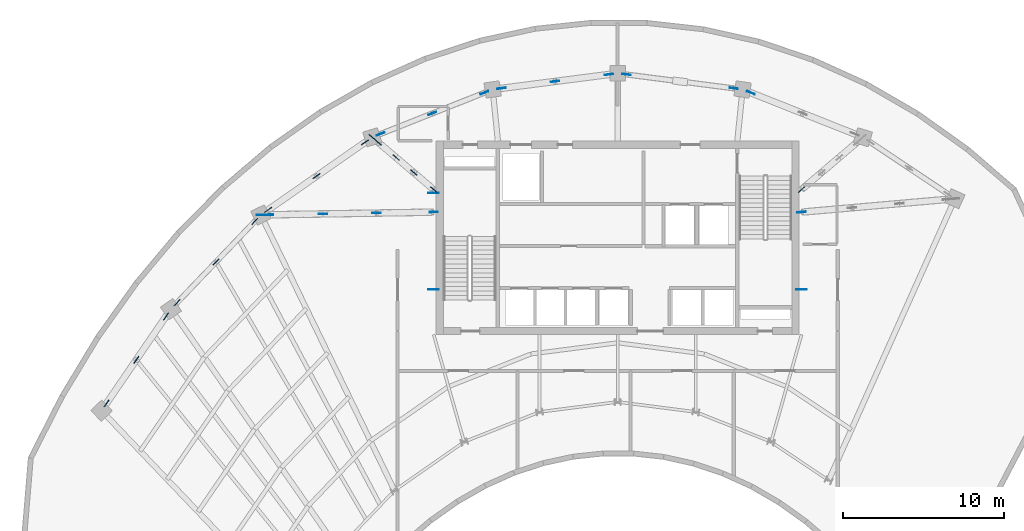
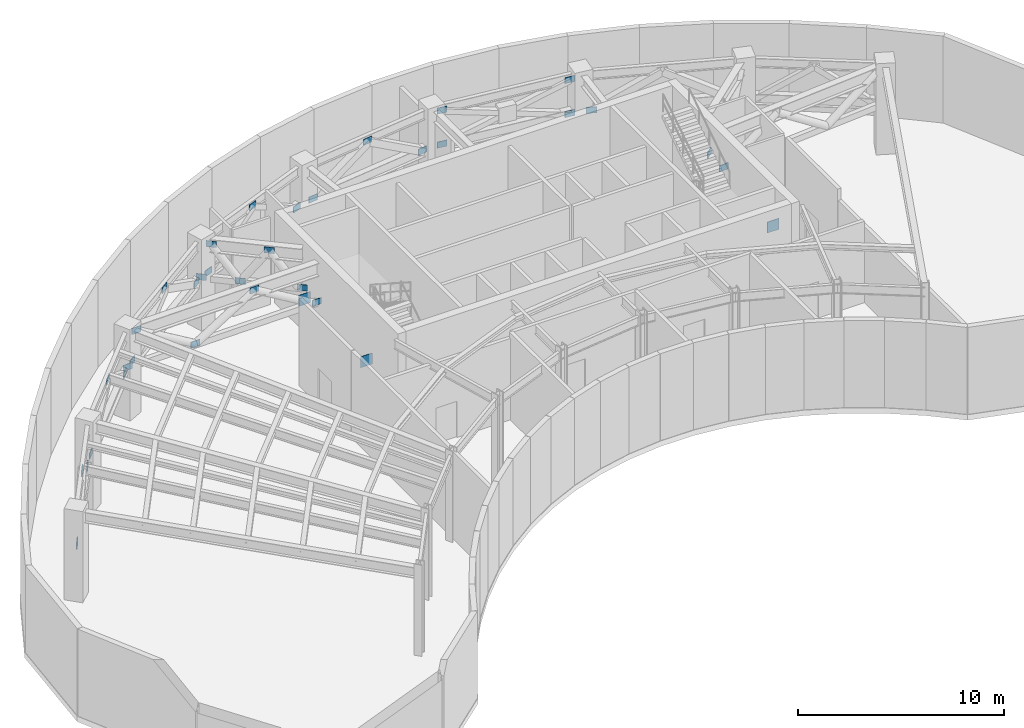
# One storey, part 4 of 10: 35 plates.
"""IFC4 building model written with IfcOpenShell, lengths in metres."""

from ifc_helpers import new_model, si_unit, direction, frame, origin, origin_2d, place, context, subcontext, project, spatial, rectangle, extrude, source, transform, mapped, material, layer, layer_set, type_object, type_shapes, element, save


model = new_model("IFC4")

# Units and contexts
model_context = context("Model", 3, precision=1e-05, world=origin(), true_north=direction((0.0, 1.0)))
body_context = subcontext(model_context, "Body", "Model", "MODEL_VIEW")
ifc_project = project(units=[si_unit("LENGTHUNIT", "METRE"), si_unit("AREAUNIT", "SQUARE_METRE"), si_unit("VOLUMEUNIT", "CUBIC_METRE"), si_unit("PLANEANGLEUNIT", "RADIAN"), si_unit("MASSUNIT", "GRAM", prefix="KILO")], contexts=[model_context])

# Site, building, storey
site_placement = place(None, origin())
site = spatial("IfcSite", under=ifc_project, at=site_placement, CompositionType="ELEMENT")
building_placement = place(site_placement, origin())
building = spatial("IfcBuilding", under=site, at=building_placement, Name="Breltana Convention Tower", CompositionType="ELEMENT")
storey_placement = place(building_placement, frame((0.0, 0.0, 254.699951171875)))
storey = spatial("IfcBuildingStorey", under=building, at=storey_placement, Name="L62", CompositionType="ELEMENT", Elevation=254.699951171875)

# Plates
ifc_material = material(Name="Steel S355", Category="steel")
ifc_layer_1 = layer(ifc_material, 0.0400390625, Name="Steel S355")
ifc_layer_set_1 = layer_set([ifc_layer_1], Name="Steel S355")
plate_type_1 = type_object("IfcPlateType", Name="PL-GUSSET-40", PredefinedType="USERDEFINED", material=ifc_layer_set_1)
shared_shape_1 = source(origin(), body_context, "Body", "SweptSolid", [
    extrude(rectangle(XDim=0.52001953125, YDim=0.0400390625, at=origin_2d()), origin(), (0.0, 0.0, 1.0), 0.360107421875),
])
for number, where, z_axis, x_axis, name in (
    (1, (36.60009765625, 67.800048828125, 2.56982421875), (0.0, 0.0, 1.0), (-0.999868271089, -0.016230849315, 0.0), "L62 Structural Brace Node Gusset Plate 001"),
    (2, (25.8876953125, 67.626953125, 2.56982421875), (0.0, 0.0, 1.0), (-0.999868271089, -0.016230849315, 0.0), "L62 Structural Brace Node Gusset Plate 002"),
    (3, (33.0625, 67.742919921875, 4.58349609375), (0.0, 0.0, 1.0), (-0.999868271089, -0.016230849315, 0.0), "L62 Structural Brace Node Gusset Plate 003"),
    (4, (29.72509765625, 67.68896484375, 2.56982421875), (0.0, 0.0, 1.0), (-0.999868271089, -0.016230849315, 0.0), "L62 Structural Brace Node Gusset Plate 004"),
    (5, (26.3876953125, 67.635009765625, 4.58349609375), (0.0, 0.0, 1.0), (-0.999868271089, -0.016230849315, 0.0), "L62 Structural Brace Node Gusset Plate 005"),
    (6, (36.60009765625, 69.199951171875, 2.56982421875), (0.0, 0.0, 1.0), (-0.761425177676, 0.648252804699, 0.0), "L62 Structural Brace Node Gusset Plate 006"),
    (7, (32.791015625, 72.4423828125, 2.56982421875), (0.0, 0.0, 1.0), (-0.761425177676, 0.648252804699, 0.0), "L62 Structural Brace Node Gusset Plate 007"),
    (8, (35.355712890625, 70.25927734375, 4.58349609375), (0.0, 0.0, 1.0), (-0.761425177676, 0.648252804699, 0.0), "L62 Structural Brace Node Gusset Plate 008"),
    (9, (34.263671875, 71.188720703125, 2.56982421875), (0.0, 0.0, 1.0), (-0.761425177676, 0.648252804699, 0.0), "L62 Structural Brace Node Gusset Plate 009"),
    (10, (33.171630859375, 72.118408203125, 4.58349609375), (0.0, 0.0, 1.0), (-0.761425177676, 0.648252804699, 0.0), "L62 Structural Brace Node Gusset Plate 010"),
    (11, (59.39990234375, 69.199951171875, 2.56982421875), (0.0, 0.0, 1.0), (0.761425177676, 0.648252804699, 0.0), "L62 Structural Brace Node Gusset Plate 011"),
    (12, (59.39990234375, 67.800048828125, 2.56982421875), (0.0, 0.0, 1.0), (0.996179471372, 0.087329610194, 0.0), "L62 Structural Brace Node Gusset Plate 016"),
    (13, (16.3173828125, 55.948486328125, 2.56982421875), (0.0, 0.0, 1.0), (0.564534897583, 0.825409201191, 0.0), "L62 Structural Brace Node Gusset Plate 021"),
    (14, (18.158935546875, 58.6416015625, 4.58349609375), (0.0, 0.0, 1.0), (0.564534897583, 0.825409201191, 0.0), "L62 Structural Brace Node Gusset Plate 022"),
    (15, (20.00048828125, 61.334716796875, 2.56982421875), (0.0, 0.0, 1.0), (0.564390827903, 0.825507718546, 0.0), "L62 Structural Brace Node Gusset Plate 023"),
    (16, (20.69091796875, 62.186279296875, 2.56982421875), (0.0, 0.0, 1.0), (0.690756218984, 0.723087716626, 0.0), "L62 Structural Brace Node Gusset Plate 024"),
    (17, (23.099365234375, 64.707763671875, 4.58349609375), (0.0, 0.0, 1.0), (0.690756218984, 0.723087716626, 0.0), "L62 Structural Brace Node Gusset Plate 025"),
    (18, (25.5078125, 67.229248046875, 2.56982421875), (0.0, 0.0, 1.0), (0.690756218984, 0.723087716626, 0.0), "L62 Structural Brace Node Gusset Plate 026"),
    (19, (26.3388671875, 67.941650390625, 2.56982421875), (0.0, 0.0, 1.0), (0.820151875874, 0.572145873446, 0.0), "L62 Structural Brace Node Gusset Plate 027"),
    (20, (29.33935546875, 70.034912109375, 4.58349609375), (0.0, 0.0, 1.0), (0.820151875874, 0.572145873446, 0.0), "L62 Structural Brace Node Gusset Plate 028"),
    (21, (32.33984375, 72.127685546875, 2.56982421875), (0.0, 0.0, 1.0), (0.820151875874, 0.572145873446, 0.0), "L62 Structural Brace Node Gusset Plate 029"),
    (22, (33.30224609375, 72.6455078125, 2.56982421875), (0.0, 0.0, 1.0), (0.929454882621, 0.36893579546, 0.0), "L62 Structural Brace Node Gusset Plate 030"),
    (23, (36.522216796875, 73.923583984375, 4.58349609375), (0.0, 0.0, 1.0), (0.929454882621, 0.36893579546, 0.0), "L62 Structural Brace Node Gusset Plate 031"),
    (24, (39.741943359375, 75.201416015625, 2.56982421875), (0.0, 0.0, 1.0), (0.929454882621, 0.36893579546, 0.0), "L62 Structural Brace Node Gusset Plate 032"),
    (25, (40.798583984375, 75.474853515625, 2.56982421875), (0.0, 0.0, 1.0), (0.99178318013, 0.127930151302, 0.0), "L62 Structural Brace Node Gusset Plate 033"),
    (26, (44.126708984375, 75.904296875, 4.58349609375), (0.0, 0.0, 1.0), (0.99178318013, 0.127930151302, 0.0), "L62 Structural Brace Node Gusset Plate 034"),
    (27, (47.45458984375, 76.33349609375, 2.56982421875), (0.0, 0.0, 1.0), (0.99178318013, 0.127930151302, 0.0), "L62 Structural Brace Node Gusset Plate 035"),
    (28, (48.54541015625, 76.33349609375, 4.58349609375), (0.0, 0.0, 1.0), (0.99178318013, -0.127930151302, 0.0), "L62 Structural Brace Node Gusset Plate 036"),
    (29, (55.201416015625, 75.474853515625, 2.56982421875), (0.0, 0.0, 1.0), (0.99178318013, -0.127930151302, 0.0), "L62 Structural Brace Node Gusset Plate 037"),
    (30, (48.54541015625, 76.33349609375, 2.56982421875), (0.0, 0.0, 1.0), (0.99178318013, -0.127930151302, 0.0), "L62 Structural Brace Node Gusset Plate 038"),
    (31, (55.201416015625, 75.474853515625, 4.58349609375), (0.0, 0.0, 1.0), (0.99178318013, -0.127930151302, 0.0), "L62 Structural Brace Node Gusset Plate 039"),
    (32, (56.258056640625, 75.201416015625, 2.56982421875), (0.0, 0.0, 1.0), (0.929454882621, -0.36893579546, 0.0), "L62 Structural Brace Node Gusset Plate 040"),
):
    element("IfcPlate", number, at=place(storey_placement, frame(where, z_axis=z_axis, x_axis=x_axis)), inside=storey, type_object=plate_type_1, Name=name, ObjectType="GUSSET_PLATE", PredefinedType="USERDEFINED", context=body_context, shape_type="MappedRepresentation", body=[
        mapped(shared_shape_1, transform((0.0, 0.0, 0.0), scale=1.0)),
    ])
ifc_layer_2 = layer(ifc_material, 0.031982421875, Name="Steel S355")
ifc_layer_set_2 = layer_set([ifc_layer_2], Name="Steel S355")
plate_type_2 = type_object("IfcPlateType", Name="PL-SPLICE-32", PredefinedType="SHEET", material=ifc_layer_set_2)
shared_shape_2 = source(origin(), body_context, "Body", "SweptSolid", [
    extrude(rectangle(XDim=0.64990234375, YDim=0.031982421875, at=origin_2d()), origin(), (0.0, 0.0, 1.0), 0.64990234375),
])
type_shapes(plate_type_2, [shared_shape_2])
for number, where, z_axis, x_axis, name in (
    (33, (36.60009765625, 63.0, 1.875), (0.0, 0.0, 1.0), (1.0, 0.0, 0.0), "L62 outrigger bolted flange splice plate 4"),
    (34, (36.60009765625, 69.0, 1.875), (0.0, 0.0, 1.0), (1.0, 0.0, 0.0), "L62 outrigger bolted flange splice plate 5"),
    (35, (59.39990234375, 63.0, 1.875), (0.0, 0.0, 1.0), (1.0, 0.0, 0.0), "L62 outrigger bolted flange splice plate 6"),
):
    element("IfcPlate", number, at=place(storey_placement, frame(where, z_axis=z_axis, x_axis=x_axis)), inside=storey, type_object=plate_type_2, Name=name, PredefinedType="SHEET", context=body_context, shape_type="MappedRepresentation", body=[
        mapped(shared_shape_2, transform((0.0, 0.0, 0.0), scale=1.0)),
    ])

save(model, "model.ifc")
